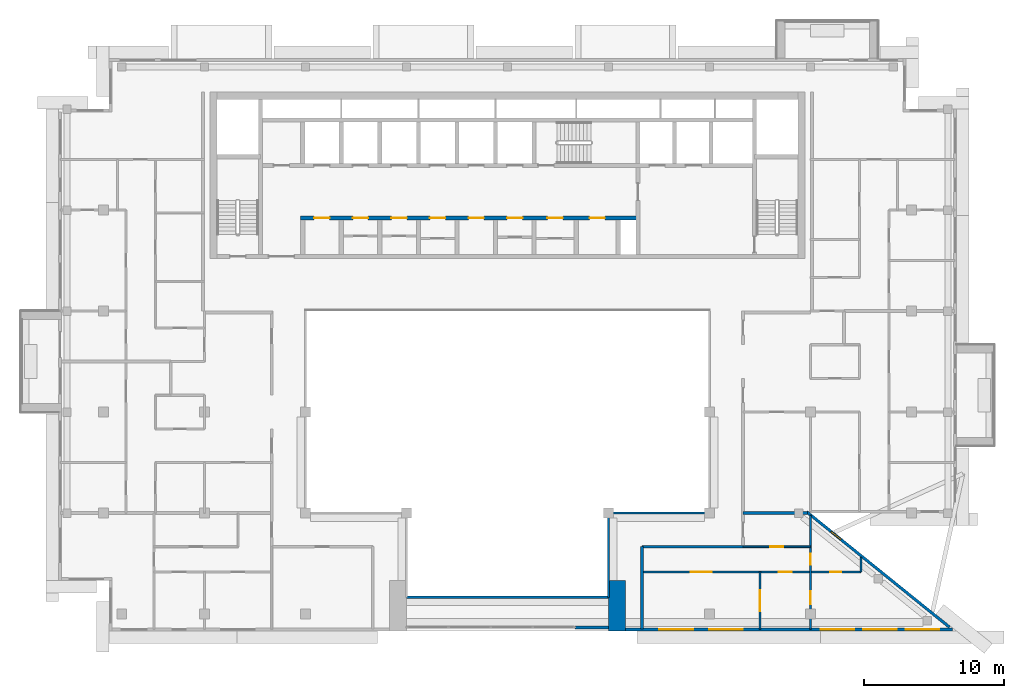
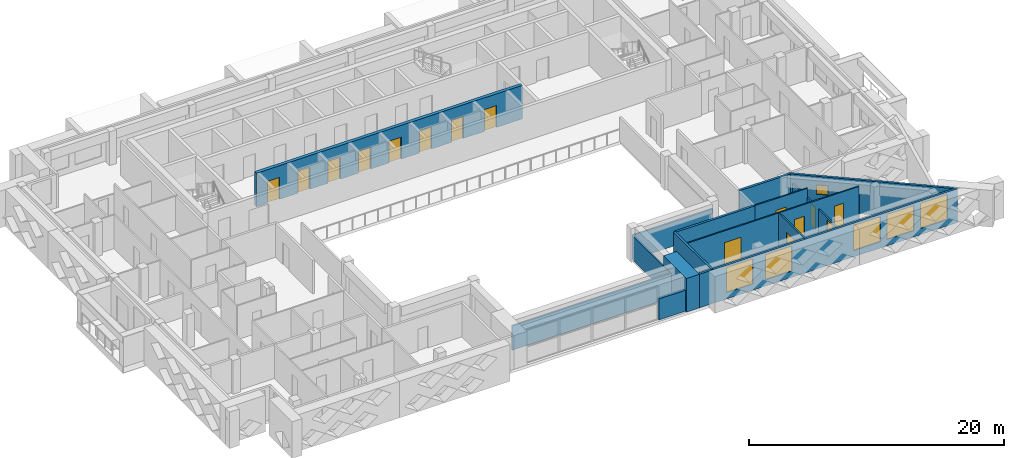
# One storey, part 8 of 18: 16 walls, 15 doors, 6 windows, 21 openings.
"""IFC4 building model written with IfcOpenShell, lengths in metres."""

from ifc_helpers import new_model, si_unit, direction, frame, frame_2d, origin, place, context, subcontext, project, spatial, rectangle, extrude, material, layer, layer_set, type_object, element, fill, save


model = new_model("IFC4")

# Units and contexts
model_context = context("Model", 3, precision=1e-05, world=origin(), true_north=direction((0.0, 1.0)))
body_context = subcontext(model_context, "Body", "Model", "MODEL_VIEW")
ifc_project = project(units=[si_unit("LENGTHUNIT", "METRE"), si_unit("AREAUNIT", "SQUARE_METRE"), si_unit("VOLUMEUNIT", "CUBIC_METRE"), si_unit("PLANEANGLEUNIT", "RADIAN"), si_unit("MASSUNIT", "GRAM", prefix="KILO")], contexts=[model_context])

# Site, building, storey
site_placement = place(None, origin())
site = spatial("IfcSite", under=ifc_project, at=site_placement, CompositionType="ELEMENT")
building_placement = place(site_placement, origin())
building = spatial("IfcBuilding", under=site, at=building_placement, Name="Saffron Iwan Residences", CompositionType="ELEMENT")
storey_placement = place(building_placement, frame((0.0, 0.0, 260.5)))
storey = spatial("IfcBuildingStorey", under=building, at=storey_placement, Name="L70", CompositionType="ELEMENT", Elevation=260.5)

# Walls
ifc_material_1 = material(Name="Fire-rated glazing", Category="glass")
ifc_layer_1 = layer(ifc_material_1, 0.14990234375)
ifc_layer_set_1 = layer_set([ifc_layer_1], Name="Fire-rated glazing")
wall_type_1 = type_object("IfcWallType", Name="Atrium glazed screen 150", PredefinedType="SOLIDWALL", material=ifc_layer_set_1)
wall_1_placement = place(storey_placement, frame((43.199951171875, 42.0, 0.0), z_axis=(0.0, 0.0, 1.0), x_axis=(1.0, 0.0, 0.0)))
element("IfcWall", 1, at=wall_1_placement, inside=storey, type_object=wall_type_1, Name="W-L70-SCREEN-h42-43.2", PredefinedType="SOLIDWALL", context=body_context, shape_type="SweptSolid", body=[
    extrude(rectangle(XDim=14.400146484375, YDim=0.14990234375, at=frame_2d((7.2001953125, 0.0))), origin(), (0.0, 0.0, 1.0), 2.320068359375),
])
wall_2_placement = place(storey_placement, frame((57.60009765625, 48.0, 0.0), z_axis=(0.0, 0.0, 1.0), x_axis=(1.0, 0.0, 0.0)))
element("IfcWall", 2, at=wall_2_placement, inside=storey, type_object=wall_type_1, Name="W-L70-SCREEN-h48-57.6", PredefinedType="SOLIDWALL", context=body_context, shape_type="SweptSolid", body=[
    extrude(rectangle(XDim=7.199951171875, YDim=0.14990234375, at=frame_2d((3.60009765625, 0.0))), origin(), (0.0, 0.0, 1.0), 2.320068359375),
])
wall_3_placement = place(storey_placement, frame((57.60009765625, 42.0, 0.0), z_axis=(0.0, 0.0, 1.0), x_axis=(0.0, 1.0, 0.0)))
element("IfcWall", 3, at=wall_3_placement, inside=storey, type_object=wall_type_1, Name="W-L70-SCREEN-v57.6-42", PredefinedType="SOLIDWALL", context=body_context, shape_type="SweptSolid", body=[
    extrude(rectangle(XDim=6.0, YDim=0.14990234375, at=frame_2d((3.0, 0.0))), origin(), (0.0, 0.0, 1.0), 2.320068359375),
])

# Wall, opening, window
ifc_material_2 = material(Name="Concrete C40/50", Category="concrete")
ifc_layer_2 = layer(ifc_material_2, 0.199951171875)
ifc_layer_set_2 = layer_set([ifc_layer_2], Name="Concrete C40/50")
wall_type_2 = type_object("IfcWallType", Name="EXTERNAL WALL 200", PredefinedType="SOLIDWALL", material=ifc_layer_set_2)
wall_4_placement = place(storey_placement, frame((81.906982421875, 39.86962890625, 0.0), z_axis=(0.0, 0.0, 1.0), x_axis=(-0.777936274417, 0.62834318087, 0.0)))
wall_4 = element("IfcWall", 4, at=wall_4_placement, inside=storey, type_object=wall_type_2, Name="External wall L70 F0.0", PredefinedType="SOLIDWALL", context=body_context, shape_type="SweptSolid", body=[
    extrude(rectangle(XDim=13.0986328125, YDim=0.199951171875, at=frame_2d((6.54931640625, 0.0))), origin(), (0.0, 0.0, 1.0), 3.219970703125),
])
opening_1_placement = place(wall_4_placement, frame((9.9384765625, 0.0, 1.5)))
opening_1 = element("IfcOpeningElement", 5, at=opening_1_placement, cuts=wall_4, Name="Opening W6", PredefinedType="OPENING", context=body_context, shape_type="SweptSolid", body=[
    extrude(rectangle(XDim=0.89990234375, YDim=0.89990234375, at=frame_2d((0.449951171875, 0.449951171875))), frame((0.0, 0.10986328125, 0.0), z_axis=(0.0, -1.0, 0.0), x_axis=(1.0, 0.0, 0.0)), (0.0, 0.0, 1.0), 0.219970703125),
])
ifc_material_3 = material(Name="Clear glass, laminated double glazed", Category="glass")
window_type_1 = type_object("IfcWindowType", Name="WINDOW 900 x 900 BATH", PartitioningType="SINGLE_PANEL", PredefinedType="WINDOW", material=ifc_material_3)
window_1_placement = place(opening_1_placement, origin())
window_1 = element("IfcWindow", 6, at=window_1_placement, inside=storey, type_object=window_type_1, Name="Window L70 F0.0", OverallHeight=0.89990234375, OverallWidth=0.89990234375, PartitioningType="SINGLE_PANEL", PredefinedType="WINDOW", context=body_context, shape_type="SweptSolid", body=[
    extrude(rectangle(XDim=0.89990234375, YDim=0.89990234375, at=frame_2d((0.449951171875, 0.449951171875))), frame((0.0, 0.030029296875, 0.0), z_axis=(0.0, -1.0, 0.0), x_axis=(1.0, 0.0, 0.0)), (0.0, 0.0, 1.0), 0.06005859375),
])
fill(opening_1, window_1)

# Wall, openings, windows
wall_5_placement = place(storey_placement, frame((58.800048828125, 39.699951171875, 0.0), z_axis=(0.0, 0.0, 1.0), x_axis=(1.0, 0.0, 0.0)))
wall_5 = element("IfcWall", 7, at=wall_5_placement, inside=storey, type_object=wall_type_2, Name="External wall L70 F11.1", PredefinedType="SOLIDWALL", context=body_context, shape_type="SweptSolid", body=[
    extrude(rectangle(XDim=23.31689453125, YDim=0.199951171875, at=frame_2d((11.658447265625, 0.0))), origin(), (0.0, 0.0, 1.0), 3.219970703125),
])
opening_2_placement = place(wall_5_placement, frame((2.433349609375, 0.0, 0.60009765625)))
opening_2 = element("IfcOpeningElement", 8, at=opening_2_placement, cuts=wall_5, Name="Opening W1", PredefinedType="OPENING", context=body_context, shape_type="SweptSolid", body=[
    extrude(rectangle(XDim=2.39990234375, YDim=2.39990234375, at=frame_2d((1.199951171875, 1.199951171875))), frame((0.0, 0.10986328125, 0.0), z_axis=(0.0, -1.0, 0.0), x_axis=(1.0, 0.0, 0.0)), (0.0, 0.0, 1.0), 0.219970703125),
])
opening_3_placement = place(wall_5_placement, frame((5.966796875, 0.0, 0.60009765625)))
opening_3 = element("IfcOpeningElement", 9, at=opening_3_placement, cuts=wall_5, Name="Opening W1", PredefinedType="OPENING", context=body_context, shape_type="SweptSolid", body=[
    extrude(rectangle(XDim=2.39990234375, YDim=2.39990234375, at=frame_2d((1.199951171875, 1.199951171875))), frame((0.0, 0.10986328125, 0.0), z_axis=(0.0, -1.0, 0.0), x_axis=(1.0, 0.0, 0.0)), (0.0, 0.0, 1.0), 0.219970703125),
])
opening_4_placement = place(wall_5_placement, frame((13.92919921875, 0.0, 0.60009765625)))
opening_4 = element("IfcOpeningElement", 10, at=opening_4_placement, cuts=wall_5, Name="Opening W1", PredefinedType="OPENING", context=body_context, shape_type="SweptSolid", body=[
    extrude(rectangle(XDim=2.39990234375, YDim=2.39990234375, at=frame_2d((1.199951171875, 1.199951171875))), frame((0.0, 0.10986328125, 0.0), z_axis=(0.0, -1.0, 0.0), x_axis=(1.0, 0.0, 0.0)), (0.0, 0.0, 1.0), 0.219970703125),
])
opening_5_placement = place(wall_5_placement, frame((16.95849609375, 0.0, 0.60009765625)))
opening_5 = element("IfcOpeningElement", 11, at=opening_5_placement, cuts=wall_5, Name="Opening W1", PredefinedType="OPENING", context=body_context, shape_type="SweptSolid", body=[
    extrude(rectangle(XDim=2.39990234375, YDim=2.39990234375, at=frame_2d((1.199951171875, 1.199951171875))), frame((0.0, 0.10986328125, 0.0), z_axis=(0.0, -1.0, 0.0), x_axis=(1.0, 0.0, 0.0)), (0.0, 0.0, 1.0), 0.219970703125),
])
opening_6_placement = place(wall_5_placement, frame((19.98779296875, 0.0, 0.60009765625)))
opening_6 = element("IfcOpeningElement", 12, at=opening_6_placement, cuts=wall_5, Name="Opening W1", PredefinedType="OPENING", context=body_context, shape_type="SweptSolid", body=[
    extrude(rectangle(XDim=2.39990234375, YDim=2.39990234375, at=frame_2d((1.199951171875, 1.199951171875))), frame((0.0, 0.10986328125, 0.0), z_axis=(0.0, -1.0, 0.0), x_axis=(1.0, 0.0, 0.0)), (0.0, 0.0, 1.0), 0.219970703125),
])
window_type_2 = type_object("IfcWindowType", Name="WINDOW 2400 x 2400", PartitioningType="DOUBLE_PANEL_VERTICAL", PredefinedType="WINDOW", material=ifc_material_3)
window_2_placement = place(opening_2_placement, origin())
window_2 = element("IfcWindow", 13, at=window_2_placement, inside=storey, type_object=window_type_2, Name="Window L70 F11.0", OverallHeight=2.39990234375, OverallWidth=2.39990234375, PartitioningType="DOUBLE_PANEL_VERTICAL", PredefinedType="WINDOW", context=body_context, shape_type="SweptSolid", body=[
    extrude(rectangle(XDim=2.39990234375, YDim=2.39990234375, at=frame_2d((1.199951171875, 1.199951171875))), frame((0.0, 0.030029296875, 0.0), z_axis=(0.0, -1.0, 0.0), x_axis=(1.0, 0.0, 0.0)), (0.0, 0.0, 1.0), 0.06005859375),
])
fill(opening_2, window_2)
window_3_placement = place(opening_3_placement, origin())
window_3 = element("IfcWindow", 14, at=window_3_placement, inside=storey, type_object=window_type_2, Name="Window L70 F11.1", OverallHeight=2.39990234375, OverallWidth=2.39990234375, PartitioningType="DOUBLE_PANEL_VERTICAL", PredefinedType="WINDOW", context=body_context, shape_type="SweptSolid", body=[
    extrude(rectangle(XDim=2.39990234375, YDim=2.39990234375, at=frame_2d((1.199951171875, 1.199951171875))), frame((0.0, 0.030029296875, 0.0), z_axis=(0.0, -1.0, 0.0), x_axis=(1.0, 0.0, 0.0)), (0.0, 0.0, 1.0), 0.06005859375),
])
fill(opening_3, window_3)
window_4_placement = place(opening_4_placement, origin())
window_4 = element("IfcWindow", 15, at=window_4_placement, inside=storey, type_object=window_type_2, Name="Window L70 F11.2", OverallHeight=2.39990234375, OverallWidth=2.39990234375, PartitioningType="DOUBLE_PANEL_VERTICAL", PredefinedType="WINDOW", context=body_context, shape_type="SweptSolid", body=[
    extrude(rectangle(XDim=2.39990234375, YDim=2.39990234375, at=frame_2d((1.199951171875, 1.199951171875))), frame((0.0, 0.030029296875, 0.0), z_axis=(0.0, -1.0, 0.0), x_axis=(1.0, 0.0, 0.0)), (0.0, 0.0, 1.0), 0.06005859375),
])
fill(opening_4, window_4)
window_5_placement = place(opening_5_placement, origin())
window_5 = element("IfcWindow", 16, at=window_5_placement, inside=storey, type_object=window_type_2, Name="Window L70 F11.3", OverallHeight=2.39990234375, OverallWidth=2.39990234375, PartitioningType="DOUBLE_PANEL_VERTICAL", PredefinedType="WINDOW", context=body_context, shape_type="SweptSolid", body=[
    extrude(rectangle(XDim=2.39990234375, YDim=2.39990234375, at=frame_2d((1.199951171875, 1.199951171875))), frame((0.0, 0.030029296875, 0.0), z_axis=(0.0, -1.0, 0.0), x_axis=(1.0, 0.0, 0.0)), (0.0, 0.0, 1.0), 0.06005859375),
])
fill(opening_5, window_5)
window_6_placement = place(opening_6_placement, origin())
window_6 = element("IfcWindow", 17, at=window_6_placement, inside=storey, type_object=window_type_2, Name="Window L70 F11.4", OverallHeight=2.39990234375, OverallWidth=2.39990234375, PartitioningType="DOUBLE_PANEL_VERTICAL", PredefinedType="WINDOW", context=body_context, shape_type="SweptSolid", body=[
    extrude(rectangle(XDim=2.39990234375, YDim=2.39990234375, at=frame_2d((1.199951171875, 1.199951171875))), frame((0.0, 0.030029296875, 0.0), z_axis=(0.0, -1.0, 0.0), x_axis=(1.0, 0.0, 0.0)), (0.0, 0.0, 1.0), 0.06005859375),
])
fill(opening_6, window_6)

# Walls
wall_6_placement = place(storey_placement, frame((55.199951171875, 39.85009765625, 0.0), z_axis=(0.0, 0.0, 1.0), x_axis=(1.0, 0.0, 0.0)))
element("IfcWall", 18, at=wall_6_placement, inside=storey, type_object=wall_type_2, Name="External wall infill CWB-L70-0", PredefinedType="SOLIDWALL", context=body_context, shape_type="SweptSolid", body=[
    extrude(rectangle(XDim=2.400146484375, YDim=0.199951171875, at=frame_2d((1.2001953125, 0.0))), origin(), (0.0, 0.0, 1.0), 2.02001953125),
])
ifc_material_4 = material(Name="Fire-rated gypsum board wall")
ifc_layer_3 = layer(ifc_material_4, 0.199951171875)
ifc_layer_set_3 = layer_set([ifc_layer_3], Name="Fire-rated gypsum board wall")
wall_type_3 = type_object("IfcWallType", Name="Flat demising wall 200", PredefinedType="SOLIDWALL", material=ifc_layer_set_3)
wall_7_placement = place(storey_placement, frame((67.199951171875, 48.0, 0.0), z_axis=(0.0, 0.0, 1.0), x_axis=(1.0, 0.0, 0.0)))
element("IfcWall", 19, at=wall_7_placement, inside=storey, type_object=wall_type_3, Name="W-L70-DEMISE-h48-67.2", PredefinedType="SOLIDWALL", context=body_context, shape_type="SweptSolid", body=[
    extrude(rectangle(XDim=4.60107421875, YDim=0.199951171875, at=frame_2d((2.300537109375, 0.0))), origin(), (0.0, 0.0, 1.0), 3.219970703125),
])

# Wall, openings, doors
ifc_material_5 = material(Name="Gypsum board partition")
ifc_layer_4 = layer(ifc_material_5, 0.1201171875)
ifc_layer_set_4 = layer_set([ifc_layer_4], Name="Gypsum board partition")
wall_type_4 = type_object("IfcWallType", Name="Flat partition 120", PredefinedType="PARTITIONING", material=ifc_layer_set_4)
wall_8_placement = place(storey_placement, frame((60.0, 43.800048828125, 0.0), z_axis=(0.0, 0.0, 1.0), x_axis=(1.0, 0.0, 0.0)))
wall_8 = element("IfcWall", 20, at=wall_8_placement, inside=storey, type_object=wall_type_4, Name="W-L70-PART-h43.8-60", PredefinedType="PARTITIONING", context=body_context, shape_type="SweptSolid", body=[
    extrude(rectangle(XDim=15.60009765625, YDim=0.1201171875, at=frame_2d((7.800048828125, 0.0))), origin(), (0.0, 0.0, 1.0), 3.219970703125),
])
opening_7_placement = place(wall_8_placement, frame((9.75, 0.0, 0.0)))
opening_7 = element("IfcOpeningElement", 21, at=opening_7_placement, cuts=wall_8, Name="Opening FD2", PredefinedType="OPENING", context=body_context, shape_type="SweptSolid", body=[
    extrude(rectangle(XDim=0.89990234375, YDim=2.10009765625, at=frame_2d((0.449951171875, 1.050048828125))), frame((0.0, 0.070068359375, 0.0), z_axis=(0.0, -1.0, 0.0), x_axis=(1.0, 0.0, 0.0)), (0.0, 0.0, 1.0), 0.14013671875),
])
opening_8_placement = place(wall_8_placement, frame((3.449951171875, 0.0, 0.0)))
opening_8 = element("IfcOpeningElement", 22, at=opening_8_placement, cuts=wall_8, Name="Opening FD4", PredefinedType="OPENING", context=body_context, shape_type="SweptSolid", body=[
    extrude(rectangle(XDim=1.5, YDim=2.10009765625, at=frame_2d((0.75, 1.050048828125))), frame((0.0, 0.070068359375, 0.0), z_axis=(0.0, -1.0, 0.0), x_axis=(1.0, 0.0, 0.0)), (0.0, 0.0, 1.0), 0.14013671875),
])
opening_9_placement = place(wall_8_placement, frame((13.39990234375, 0.0, 0.0)))
opening_9 = element("IfcOpeningElement", 23, at=opening_9_placement, cuts=wall_8, Name="Opening FD3", PredefinedType="OPENING", context=body_context, shape_type="SweptSolid", body=[
    extrude(rectangle(XDim=0.800048828125, YDim=2.10009765625, at=frame_2d((0.39990234375, 1.050048828125))), frame((0.0, 0.070068359375, 0.0), z_axis=(0.0, -1.0, 0.0), x_axis=(1.0, 0.0, 0.0)), (0.0, 0.0, 1.0), 0.14013671875),
])
ifc_material_6 = material(Name="Timber door", Category="wood")
door_type_1 = type_object("IfcDoorType", Name="Bathroom door 800", OperationType="NOTDEFINED", PredefinedType="DOOR", material=ifc_material_6)
door_1_placement = place(opening_9_placement, origin())
door_1 = element("IfcDoor", 24, at=door_1_placement, inside=storey, type_object=door_type_1, Name="Door L70-044", OperationType="SINGLE_SWING_LEFT", OverallHeight=2.10009765625, OverallWidth=0.800048828125, PredefinedType="DOOR", context=body_context, shape_type="SweptSolid", body=[
    extrude(rectangle(XDim=0.800048828125, YDim=2.10009765625, at=frame_2d((0.39990234375, 1.050048828125))), frame((0.0, 0.02490234375, 0.0), z_axis=(0.0, -1.0, 0.0), x_axis=(1.0, 0.0, 0.0)), (0.0, 0.0, 1.0), 0.050048828125),
])
fill(opening_9, door_1)
door_type_2 = type_object("IfcDoorType", Name="Double door 1500", OperationType="NOTDEFINED", PredefinedType="DOOR", material=ifc_material_6)
door_2_placement = place(opening_8_placement, origin())
door_2 = element("IfcDoor", 25, at=door_2_placement, inside=storey, type_object=door_type_2, Name="Door L70-041", OperationType="SINGLE_SWING_LEFT", OverallHeight=2.10009765625, OverallWidth=1.5, PredefinedType="DOOR", context=body_context, shape_type="SweptSolid", body=[
    extrude(rectangle(XDim=1.5, YDim=2.10009765625, at=frame_2d((0.75, 1.050048828125))), frame((0.0, 0.02490234375, 0.0), z_axis=(0.0, -1.0, 0.0), x_axis=(1.0, 0.0, 0.0)), (0.0, 0.0, 1.0), 0.050048828125),
])
fill(opening_8, door_2)
door_type_3 = type_object("IfcDoorType", Name="Flat door 900", OperationType="NOTDEFINED", PredefinedType="DOOR", material=ifc_material_6)
door_3_placement = place(opening_7_placement, origin())
door_3 = element("IfcDoor", 26, at=door_3_placement, inside=storey, type_object=door_type_3, Name="Door L70-040", OperationType="SINGLE_SWING_LEFT", OverallHeight=2.10009765625, OverallWidth=0.89990234375, PredefinedType="DOOR", context=body_context, shape_type="SweptSolid", body=[
    extrude(rectangle(XDim=0.89990234375, YDim=2.10009765625, at=frame_2d((0.449951171875, 1.050048828125))), frame((0.0, 0.02490234375, 0.0), z_axis=(0.0, -1.0, 0.0), x_axis=(1.0, 0.0, 0.0)), (0.0, 0.0, 1.0), 0.050048828125),
])
fill(opening_7, door_3)

# Wall, opening, door
wall_9_placement = place(storey_placement, frame((67.199951171875, 45.60009765625, 0.0), z_axis=(0.0, 0.0, 1.0), x_axis=(1.0, 0.0, 0.0)))
wall_9 = element("IfcWall", 27, at=wall_9_placement, inside=storey, type_object=wall_type_4, Name="W-L70-PART-h45.6-67.2", PredefinedType="PARTITIONING", context=body_context, shape_type="SweptSolid", body=[
    extrude(rectangle(XDim=4.800048828125, YDim=0.1201171875, at=frame_2d((2.39990234375, 0.0))), origin(), (0.0, 0.0, 1.0), 3.219970703125),
])
opening_10_placement = place(wall_9_placement, frame((1.949951171875, 0.0, 0.0)))
opening_10 = element("IfcOpeningElement", 28, at=opening_10_placement, cuts=wall_9, Name="Opening FD2", PredefinedType="OPENING", context=body_context, shape_type="SweptSolid", body=[
    extrude(rectangle(XDim=0.89990234375, YDim=2.10009765625, at=frame_2d((0.449951171875, 1.050048828125))), frame((0.0, 0.070068359375, 0.0), z_axis=(0.0, -1.0, 0.0), x_axis=(1.0, 0.0, 0.0)), (0.0, 0.0, 1.0), 0.14013671875),
])
door_4_placement = place(opening_10_placement, origin())
door_4 = element("IfcDoor", 29, at=door_4_placement, inside=storey, type_object=door_type_3, Name="Door L70-038", OperationType="SINGLE_SWING_LEFT", OverallHeight=2.10009765625, OverallWidth=0.89990234375, PredefinedType="DOOR", context=body_context, shape_type="SweptSolid", body=[
    extrude(rectangle(XDim=0.89990234375, YDim=2.10009765625, at=frame_2d((0.449951171875, 1.050048828125))), frame((0.0, 0.02490234375, 0.0), z_axis=(0.0, -1.0, 0.0), x_axis=(1.0, 0.0, 0.0)), (0.0, 0.0, 1.0), 0.050048828125),
])
fill(opening_10, door_4)

wall_10_placement = place(storey_placement, frame((68.39990234375, 39.72509765625, 0.0), z_axis=(0.0, 0.0, 1.0), x_axis=(0.0, 1.0, 0.0)))
wall_10 = element("IfcWall", 30, at=wall_10_placement, inside=storey, type_object=wall_type_4, Name="W-L70-PART-v68.4-39.725", PredefinedType="PARTITIONING", context=body_context, shape_type="SweptSolid", body=[
    extrude(rectangle(XDim=4.074951171875, YDim=0.1201171875, at=frame_2d((2.03759765625, 0.0))), origin(), (0.0, 0.0, 1.0), 3.219970703125),
])
opening_11_placement = place(wall_10_placement, frame((1.28759765625, 0.0, 0.0)))
opening_11 = element("IfcOpeningElement", 31, at=opening_11_placement, cuts=wall_10, Name="Opening FD4", PredefinedType="OPENING", context=body_context, shape_type="SweptSolid", body=[
    extrude(rectangle(XDim=1.5, YDim=2.10009765625, at=frame_2d((0.75, 1.050048828125))), frame((0.0, 0.070068359375, 0.0), z_axis=(0.0, -1.0, 0.0), x_axis=(1.0, 0.0, 0.0)), (0.0, 0.0, 1.0), 0.14013671875),
])
door_5_placement = place(opening_11_placement, origin())
door_5 = element("IfcDoor", 32, at=door_5_placement, inside=storey, type_object=door_type_2, Name="Door L70-037", OperationType="SINGLE_SWING_LEFT", OverallHeight=2.10009765625, OverallWidth=1.5, PredefinedType="DOOR", context=body_context, shape_type="SweptSolid", body=[
    extrude(rectangle(XDim=1.5, YDim=2.10009765625, at=frame_2d((0.75, 1.050048828125))), frame((0.0, 0.02490234375, 0.0), z_axis=(0.0, -1.0, 0.0), x_axis=(1.0, 0.0, 0.0)), (0.0, 0.0, 1.0), 0.050048828125),
])
fill(opening_11, door_5)

# Wall, openings, doors
wall_11_placement = place(storey_placement, frame((72.0, 39.72509765625, 0.0), z_axis=(0.0, 0.0, 1.0), x_axis=(0.0, 1.0, 0.0)))
wall_11 = element("IfcWall", 33, at=wall_11_placement, inside=storey, type_object=wall_type_4, Name="W-L70-PART-v72-39.725", PredefinedType="PARTITIONING", context=body_context, shape_type="SweptSolid", body=[
    extrude(rectangle(XDim=8.114013671875, YDim=0.1201171875, at=frame_2d((4.05712890625, 0.0))), origin(), (0.0, 0.0, 1.0), 2.320068359375),
])
opening_12_placement = place(wall_11_placement, frame((1.78759765625, 0.0, 0.0)))
opening_12 = element("IfcOpeningElement", 34, at=opening_12_placement, cuts=wall_11, Name="Opening FD2", PredefinedType="OPENING", context=body_context, shape_type="SweptSolid", body=[
    extrude(rectangle(XDim=0.89990234375, YDim=2.10009765625, at=frame_2d((0.449951171875, 1.050048828125))), frame((0.0, 0.070068359375, 0.0), z_axis=(0.0, -1.0, 0.0), x_axis=(1.0, 0.0, 0.0)), (0.0, 0.0, 1.0), 0.14013671875),
])
opening_13_placement = place(wall_11_placement, frame((4.574951171875, 0.0, 0.0)))
opening_13 = element("IfcOpeningElement", 35, at=opening_13_placement, cuts=wall_11, Name="Opening FD3", PredefinedType="OPENING", context=body_context, shape_type="SweptSolid", body=[
    extrude(rectangle(XDim=0.800048828125, YDim=2.10009765625, at=frame_2d((0.39990234375, 1.050048828125))), frame((0.0, 0.070068359375, 0.0), z_axis=(0.0, -1.0, 0.0), x_axis=(1.0, 0.0, 0.0)), (0.0, 0.0, 1.0), 0.14013671875),
])
door_6_placement = place(opening_13_placement, origin())
door_6 = element("IfcDoor", 36, at=door_6_placement, inside=storey, type_object=door_type_1, Name="Door L70-043", OperationType="SINGLE_SWING_LEFT", OverallHeight=2.10009765625, OverallWidth=0.800048828125, PredefinedType="DOOR", context=body_context, shape_type="SweptSolid", body=[
    extrude(rectangle(XDim=0.800048828125, YDim=2.10009765625, at=frame_2d((0.39990234375, 1.050048828125))), frame((0.0, 0.02490234375, 0.0), z_axis=(0.0, -1.0, 0.0), x_axis=(1.0, 0.0, 0.0)), (0.0, 0.0, 1.0), 0.050048828125),
])
fill(opening_13, door_6)
door_7_placement = place(opening_12_placement, origin())
door_7 = element("IfcDoor", 37, at=door_7_placement, inside=storey, type_object=door_type_3, Name="Door L70-042", OperationType="SINGLE_SWING_LEFT", OverallHeight=2.10009765625, OverallWidth=0.89990234375, PredefinedType="DOOR", context=body_context, shape_type="SweptSolid", body=[
    extrude(rectangle(XDim=0.89990234375, YDim=2.10009765625, at=frame_2d((0.449951171875, 1.050048828125))), frame((0.0, 0.02490234375, 0.0), z_axis=(0.0, -1.0, 0.0), x_axis=(1.0, 0.0, 0.0)), (0.0, 0.0, 1.0), 0.050048828125),
])
fill(opening_12, door_7)

# Walls
wall_12_placement = place(storey_placement, frame((75.60009765625, 43.800048828125, 0.0), z_axis=(0.0, 0.0, 1.0), x_axis=(0.0, 1.0, 0.0)))
element("IfcWall", 38, at=wall_12_placement, inside=storey, type_object=wall_type_4, Name="W-L70-PART-v75.6-43.8", PredefinedType="PARTITIONING", context=body_context, shape_type="SweptSolid", body=[
    extrude(rectangle(XDim=1.03515625, YDim=0.1201171875, at=frame_2d((0.517578125, 0.0))), origin(), (0.0, 0.0, 1.0), 2.320068359375),
])
ifc_layer_5 = layer(ifc_material_4, 0.199951171875)
ifc_layer_set_5 = layer_set([ifc_layer_5], Name="Fire-rated gypsum board wall")
wall_type_5 = type_object("IfcWallType", Name="Gallery wall 200", PredefinedType="SOLIDWALL", material=ifc_layer_set_5)
wall_13_placement = place(storey_placement, frame((60.0, 45.60009765625, 0.0), z_axis=(0.0, 0.0, 1.0), x_axis=(1.0, 0.0, 0.0)))
element("IfcWall", 39, at=wall_13_placement, inside=storey, type_object=wall_type_5, Name="W-L70-CORR-h45.6-60", PredefinedType="SOLIDWALL", context=body_context, shape_type="SweptSolid", body=[
    extrude(rectangle(XDim=7.199951171875, YDim=0.199951171875, at=frame_2d((3.60009765625, 0.0))), origin(), (0.0, 0.0, 1.0), 3.219970703125),
])
wall_14_placement = place(storey_placement, frame((60.0, 39.72509765625, 0.0), z_axis=(0.0, 0.0, 1.0), x_axis=(0.0, 1.0, 0.0)))
element("IfcWall", 40, at=wall_14_placement, inside=storey, type_object=wall_type_5, Name="W-L70-CORR-v60-39.725", PredefinedType="SOLIDWALL", context=body_context, shape_type="SweptSolid", body=[
    extrude(rectangle(XDim=5.875, YDim=0.199951171875, at=frame_2d((2.9375, 0.0))), origin(), (0.0, 0.0, 1.0), 3.219970703125),
])

# Wall, openings, doors
ifc_layer_6 = layer(ifc_material_2, 0.300048828125)
ifc_layer_set_6 = layer_set([ifc_layer_6], Name="Concrete C40/50")
wall_type_6 = type_object("IfcWallType", Name="WALL CORE 300 C40/50 3220 HIGH", PredefinedType="SHEAR", material=ifc_layer_set_6)
wall_15_placement = place(storey_placement, frame((35.64990234375, 69.02490234375, 0.0), z_axis=(0.0, 0.0, 1.0), x_axis=(1.0, 0.0, 0.0)))
wall_15 = element("IfcWall", 41, at=wall_15_placement, inside=storey, type_object=wall_type_6, Name="Core wall", PredefinedType="SHEAR", context=body_context, shape_type="SweptSolid", body=[
    extrude(rectangle(XDim=24.050048828125, YDim=0.300048828125, at=frame_2d((12.02490234375, 0.0))), origin(), (0.0, 0.0, 1.0), 3.219970703125),
])
opening_14_placement = place(wall_15_placement, frame((0.97509765625, 0.0, 0.0)))
opening_14 = element("IfcOpeningElement", 42, at=opening_14_placement, cuts=wall_15, Name="Opening SR", PredefinedType="OPENING", context=body_context, shape_type="SweptSolid", body=[
    extrude(rectangle(XDim=1.10009765625, YDim=2.10009765625, at=frame_2d((0.550048828125, 1.050048828125))), frame((0.0, 0.16015625, 0.0), z_axis=(0.0, -1.0, 0.0), x_axis=(1.0, 0.0, 0.0)), (0.0, 0.0, 1.0), 0.320068359375),
])
opening_15_placement = place(wall_15_placement, frame((3.72509765625, 0.0, 0.0)))
opening_15 = element("IfcOpeningElement", 43, at=opening_15_placement, cuts=wall_15, Name="Opening SR", PredefinedType="OPENING", context=body_context, shape_type="SweptSolid", body=[
    extrude(rectangle(XDim=1.10009765625, YDim=2.10009765625, at=frame_2d((0.550048828125, 1.050048828125))), frame((0.0, 0.16015625, 0.0), z_axis=(0.0, -1.0, 0.0), x_axis=(1.0, 0.0, 0.0)), (0.0, 0.0, 1.0), 0.320068359375),
])
opening_16_placement = place(wall_15_placement, frame((6.47509765625, 0.0, 0.0)))
opening_16 = element("IfcOpeningElement", 44, at=opening_16_placement, cuts=wall_15, Name="Opening SR", PredefinedType="OPENING", context=body_context, shape_type="SweptSolid", body=[
    extrude(rectangle(XDim=1.10009765625, YDim=2.10009765625, at=frame_2d((0.550048828125, 1.050048828125))), frame((0.0, 0.16015625, 0.0), z_axis=(0.0, -1.0, 0.0), x_axis=(1.0, 0.0, 0.0)), (0.0, 0.0, 1.0), 0.320068359375),
])
opening_17_placement = place(wall_15_placement, frame((9.22509765625, 0.0, 0.0)))
opening_17 = element("IfcOpeningElement", 45, at=opening_17_placement, cuts=wall_15, Name="Opening SR", PredefinedType="OPENING", context=body_context, shape_type="SweptSolid", body=[
    extrude(rectangle(XDim=1.10009765625, YDim=2.10009765625, at=frame_2d((0.550048828125, 1.050048828125))), frame((0.0, 0.16015625, 0.0), z_axis=(0.0, -1.0, 0.0), x_axis=(1.0, 0.0, 0.0)), (0.0, 0.0, 1.0), 0.320068359375),
])
opening_18_placement = place(wall_15_placement, frame((11.97509765625, 0.0, 0.0)))
opening_18 = element("IfcOpeningElement", 46, at=opening_18_placement, cuts=wall_15, Name="Opening SR", PredefinedType="OPENING", context=body_context, shape_type="SweptSolid", body=[
    extrude(rectangle(XDim=1.10009765625, YDim=2.10009765625, at=frame_2d((0.550048828125, 1.050048828125))), frame((0.0, 0.16015625, 0.0), z_axis=(0.0, -1.0, 0.0), x_axis=(1.0, 0.0, 0.0)), (0.0, 0.0, 1.0), 0.320068359375),
])
opening_19_placement = place(wall_15_placement, frame((14.72509765625, 0.0, 0.0)))
opening_19 = element("IfcOpeningElement", 47, at=opening_19_placement, cuts=wall_15, Name="Opening SR", PredefinedType="OPENING", context=body_context, shape_type="SweptSolid", body=[
    extrude(rectangle(XDim=1.10009765625, YDim=2.10009765625, at=frame_2d((0.550048828125, 1.050048828125))), frame((0.0, 0.16015625, 0.0), z_axis=(0.0, -1.0, 0.0), x_axis=(1.0, 0.0, 0.0)), (0.0, 0.0, 1.0), 0.320068359375),
])
opening_20_placement = place(wall_15_placement, frame((17.60009765625, 0.0, 0.0)))
opening_20 = element("IfcOpeningElement", 48, at=opening_20_placement, cuts=wall_15, Name="Opening SR", PredefinedType="OPENING", context=body_context, shape_type="SweptSolid", body=[
    extrude(rectangle(XDim=1.10009765625, YDim=2.10009765625, at=frame_2d((0.550048828125, 1.050048828125))), frame((0.0, 0.16015625, 0.0), z_axis=(0.0, -1.0, 0.0), x_axis=(1.0, 0.0, 0.0)), (0.0, 0.0, 1.0), 0.320068359375),
])
opening_21_placement = place(wall_15_placement, frame((20.60009765625, 0.0, 0.0)))
opening_21 = element("IfcOpeningElement", 49, at=opening_21_placement, cuts=wall_15, Name="Opening SR", PredefinedType="OPENING", context=body_context, shape_type="SweptSolid", body=[
    extrude(rectangle(XDim=1.10009765625, YDim=2.10009765625, at=frame_2d((0.550048828125, 1.050048828125))), frame((0.0, 0.16015625, 0.0), z_axis=(0.0, -1.0, 0.0), x_axis=(1.0, 0.0, 0.0)), (0.0, 0.0, 1.0), 0.320068359375),
])
ifc_material_7 = material(Name="Steel fire door", Category="steel")
door_type_4 = type_object("IfcDoorType", Name="Service door 1100", OperationType="NOTDEFINED", PredefinedType="DOOR", material=ifc_material_7)
door_8_placement = place(opening_14_placement, origin())
door_8 = element("IfcDoor", 50, at=door_8_placement, inside=storey, type_object=door_type_4, Name="Door Cleaner's store", OperationType="SINGLE_SWING_RIGHT", OverallHeight=2.10009765625, OverallWidth=1.10009765625, PredefinedType="DOOR", context=body_context, shape_type="SweptSolid", body=[
    extrude(rectangle(XDim=1.10009765625, YDim=2.10009765625, at=frame_2d((0.550048828125, 1.050048828125))), frame((0.0, 0.02490234375, 0.0), z_axis=(0.0, -1.0, 0.0), x_axis=(1.0, 0.0, 0.0)), (0.0, 0.0, 1.0), 0.050048828125),
])
fill(opening_14, door_8)
door_9_placement = place(opening_15_placement, origin())
door_9 = element("IfcDoor", 51, at=door_9_placement, inside=storey, type_object=door_type_4, Name="Door Trolley store", OperationType="SINGLE_SWING_LEFT", OverallHeight=2.10009765625, OverallWidth=1.10009765625, PredefinedType="DOOR", context=body_context, shape_type="SweptSolid", body=[
    extrude(rectangle(XDim=1.10009765625, YDim=2.10009765625, at=frame_2d((0.550048828125, 1.050048828125))), frame((0.0, 0.02490234375, 0.0), z_axis=(0.0, -1.0, 0.0), x_axis=(1.0, 0.0, 0.0)), (0.0, 0.0, 1.0), 0.050048828125),
])
fill(opening_15, door_9)
door_10_placement = place(opening_16_placement, origin())
door_10 = element("IfcDoor", 52, at=door_10_placement, inside=storey, type_object=door_type_4, Name="Door Communications room", OperationType="SINGLE_SWING_RIGHT", OverallHeight=2.10009765625, OverallWidth=1.10009765625, PredefinedType="DOOR", context=body_context, shape_type="SweptSolid", body=[
    extrude(rectangle(XDim=1.10009765625, YDim=2.10009765625, at=frame_2d((0.550048828125, 1.050048828125))), frame((0.0, 0.02490234375, 0.0), z_axis=(0.0, -1.0, 0.0), x_axis=(1.0, 0.0, 0.0)), (0.0, 0.0, 1.0), 0.050048828125),
])
fill(opening_16, door_10)
door_11_placement = place(opening_17_placement, origin())
door_11 = element("IfcDoor", 53, at=door_11_placement, inside=storey, type_object=door_type_4, Name="Door Switch room", OperationType="SINGLE_SWING_LEFT", OverallHeight=2.10009765625, OverallWidth=1.10009765625, PredefinedType="DOOR", context=body_context, shape_type="SweptSolid", body=[
    extrude(rectangle(XDim=1.10009765625, YDim=2.10009765625, at=frame_2d((0.550048828125, 1.050048828125))), frame((0.0, 0.02490234375, 0.0), z_axis=(0.0, -1.0, 0.0), x_axis=(1.0, 0.0, 0.0)), (0.0, 0.0, 1.0), 0.050048828125),
])
fill(opening_17, door_11)
door_12_placement = place(opening_18_placement, origin())
door_12 = element("IfcDoor", 54, at=door_12_placement, inside=storey, type_object=door_type_4, Name="Door Furniture store", OperationType="SINGLE_SWING_RIGHT", OverallHeight=2.10009765625, OverallWidth=1.10009765625, PredefinedType="DOOR", context=body_context, shape_type="SweptSolid", body=[
    extrude(rectangle(XDim=1.10009765625, YDim=2.10009765625, at=frame_2d((0.550048828125, 1.050048828125))), frame((0.0, 0.02490234375, 0.0), z_axis=(0.0, -1.0, 0.0), x_axis=(1.0, 0.0, 0.0)), (0.0, 0.0, 1.0), 0.050048828125),
])
fill(opening_18, door_12)
door_13_placement = place(opening_19_placement, origin())
door_13 = element("IfcDoor", 55, at=door_13_placement, inside=storey, type_object=door_type_4, Name="Door Housekeeping store", OperationType="SINGLE_SWING_LEFT", OverallHeight=2.10009765625, OverallWidth=1.10009765625, PredefinedType="DOOR", context=body_context, shape_type="SweptSolid", body=[
    extrude(rectangle(XDim=1.10009765625, YDim=2.10009765625, at=frame_2d((0.550048828125, 1.050048828125))), frame((0.0, 0.02490234375, 0.0), z_axis=(0.0, -1.0, 0.0), x_axis=(1.0, 0.0, 0.0)), (0.0, 0.0, 1.0), 0.050048828125),
])
fill(opening_19, door_13)
door_14_placement = place(opening_20_placement, origin())
door_14 = element("IfcDoor", 56, at=door_14_placement, inside=storey, type_object=door_type_4, Name="Door Pantry", OperationType="SINGLE_SWING_RIGHT", OverallHeight=2.10009765625, OverallWidth=1.10009765625, PredefinedType="DOOR", context=body_context, shape_type="SweptSolid", body=[
    extrude(rectangle(XDim=1.10009765625, YDim=2.10009765625, at=frame_2d((0.550048828125, 1.050048828125))), frame((0.0, 0.02490234375, 0.0), z_axis=(0.0, -1.0, 0.0), x_axis=(1.0, 0.0, 0.0)), (0.0, 0.0, 1.0), 0.050048828125),
])
fill(opening_20, door_14)
door_15_placement = place(opening_21_placement, origin())
door_15 = element("IfcDoor", 57, at=door_15_placement, inside=storey, type_object=door_type_4, Name="Door Electrical room", OperationType="SINGLE_SWING_RIGHT", OverallHeight=2.10009765625, OverallWidth=1.10009765625, PredefinedType="DOOR", context=body_context, shape_type="SweptSolid", body=[
    extrude(rectangle(XDim=1.10009765625, YDim=2.10009765625, at=frame_2d((0.550048828125, 1.050048828125))), frame((0.0, 0.02490234375, 0.0), z_axis=(0.0, -1.0, 0.0), x_axis=(1.0, 0.0, 0.0)), (0.0, 0.0, 1.0), 0.050048828125),
])
fill(opening_21, door_15)

# Wall
ifc_layer_7 = layer(ifc_material_2, 1.199951171875)
ifc_layer_set_7 = layer_set([ifc_layer_7], Name="Concrete C40/50")
wall_type_7 = type_object("IfcWallType", Name="WALL IWAN PIER 1200 C40/50 3220 HIGH", PredefinedType="SHEAR", material=ifc_layer_set_7)
wall_16_placement = place(storey_placement, frame((58.199951171875, 39.60009765625, 0.0), z_axis=(0.0, 0.0, 1.0), x_axis=(0.0, 1.0, 0.0)))
element("IfcWall", 58, at=wall_16_placement, inside=storey, type_object=wall_type_7, Name="IWAN PIER", PredefinedType="SHEAR", context=body_context, shape_type="SweptSolid", body=[
    extrude(rectangle(XDim=3.599853515625, YDim=1.199951171875, at=frame_2d((1.7998046875, 0.0))), origin(), (0.0, 0.0, 1.0), 3.219970703125),
])

save(model, "model.ifc")
